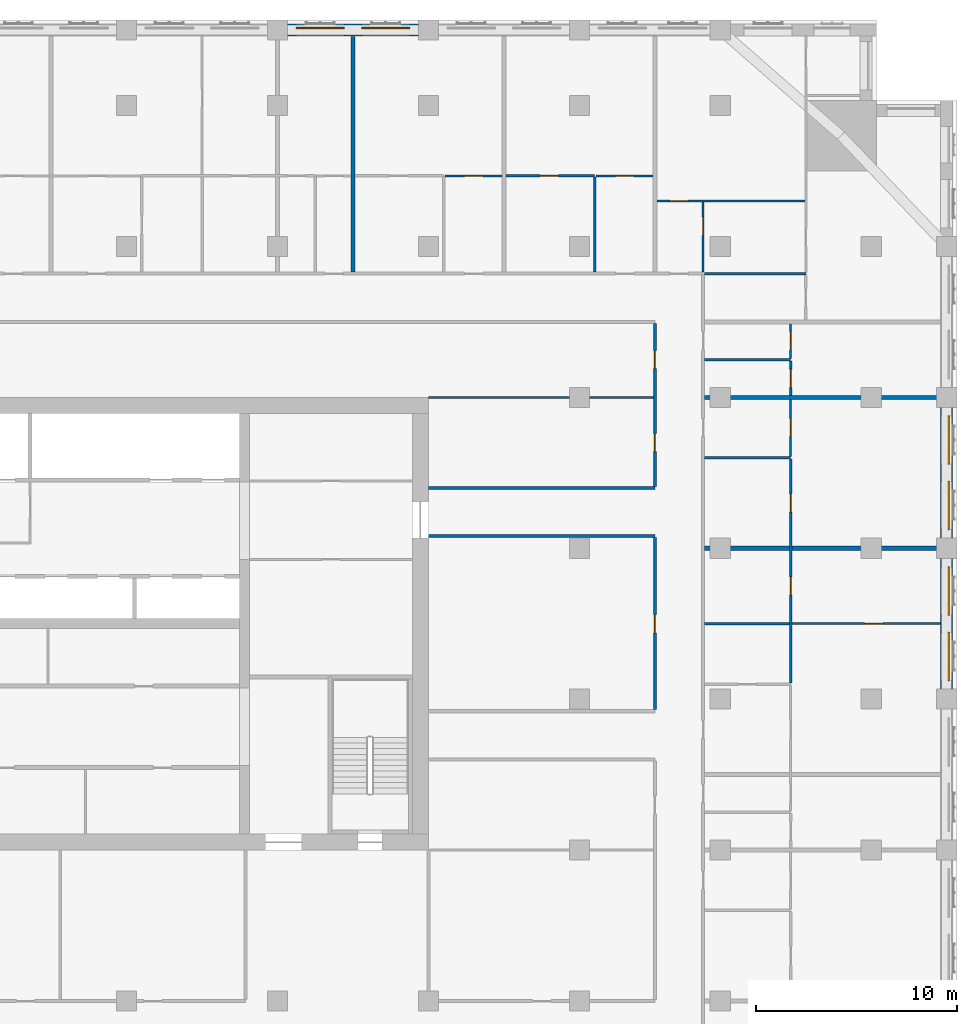
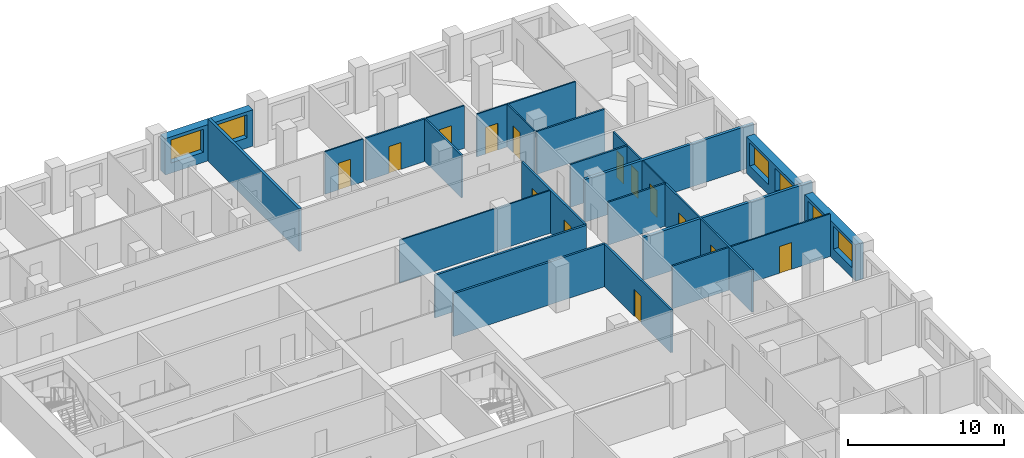
# One storey, part 10 of 14: 26 walls, 14 doors, 6 windows, 20 openings.
"""IFC4 building model written with IfcOpenShell, lengths in metres."""

import ifcopenshell
import ifcopenshell.guid

model = None  # the IFC model being written
_history = None  # IfcOwnerHistory: only IFC2X3 demands one
_inside = {}  # id of a spatial element -> (the spatial element, [elements in it])
_under = {}  # id of a project, library or spatial element -> (it, [spatial elements below it])
_declared = {}  # id of a project -> (the project, [libraries it declares])
_typed = {}  # id of a type object -> (the type object, [elements of that type])
_made_of = {}  # id of a material, layer set ... -> (it, [elements and type objects made of it])


def new_model(schema):
    """Start an empty IFC model of exactly this schema.

    Asked for "IFC4X3", IfcOpenShell would pick the latest addendum, in which some entities
    have other attributes; the version numbers below select the first issue.
    IFC2X3 requires an IfcOwnerHistory on every rooted entity: one is made here for all.
    """
    global model, _history
    if schema == "IFC4X3":
        model = ifcopenshell.file(schema_version=(4, 3, 0, 0))
    else:
        model = ifcopenshell.file(schema=schema)
    _inside.clear()
    _under.clear()
    _declared.clear()
    _typed.clear()
    _made_of.clear()
    _history = None
    if model.schema == "IFC2X3":
        org = make("IfcOrganization", Name="unknown")
        user = make(
            "IfcPersonAndOrganization",
            ThePerson=make("IfcPerson", FamilyName="unknown"),
            TheOrganization=org,
        )
        app = make(
            "IfcApplication",
            ApplicationDeveloper=org,
            Version="unknown",
            ApplicationFullName="unknown",
            ApplicationIdentifier="unknown",
        )
        _history = make(
            "IfcOwnerHistory",
            OwningUser=user,
            OwningApplication=app,
            ChangeAction="ADDED",
            CreationDate=0,
        )
    return model


def make(cls, **values):
    """One entity of the class cls with the attributes given. An attribute that is None is left unset."""
    return model.create_entity(
        cls, **{name: value for name, value in values.items() if value is not None}
    )


def rooted(cls, **values):
    """An entity with a GlobalId (a new one), such as an element, a storey or a relation."""
    return make(cls, GlobalId=ifcopenshell.guid.new(), OwnerHistory=_history, **values)


def si_unit(unit_type, name, prefix=None):
    """IfcSIUnit, for example si_unit("LENGTHUNIT", "METRE", prefix="MILLI")."""
    return make("IfcSIUnit", UnitType=unit_type, Prefix=prefix, Name=name)


def assignment(units):
    """IfcUnitAssignment: the units of a project."""
    return None if units is None else make("IfcUnitAssignment", Units=units)


def point(xyz):
    """IfcCartesianPoint."""
    return None if xyz is None else make("IfcCartesianPoint", Coordinates=xyz)


def direction(xyz):
    """IfcDirection."""
    return None if xyz is None else make("IfcDirection", DirectionRatios=xyz)


def frame(location, z_axis=None, x_axis=None):
    """IfcAxis2Placement3D, a coordinate frame: its origin and axes. An axis left out is left unset."""
    return make(
        "IfcAxis2Placement3D",
        Location=point(location),
        Axis=direction(z_axis),
        RefDirection=direction(x_axis),
    )


def frame_2d(location, x_axis=None):
    """IfcAxis2Placement2D, a coordinate frame in the plane: its origin and x axis."""
    return make(
        "IfcAxis2Placement2D", Location=point(location), RefDirection=direction(x_axis)
    )


def origin():
    """The frame at (0, 0, 0) with its axes left unset."""
    return frame((0.0, 0.0, 0.0))


def place(relative_to, where):
    """IfcLocalPlacement: puts the frame where relative to a parent placement (None: the world)."""
    return make(
        "IfcLocalPlacement", PlacementRelTo=relative_to, RelativePlacement=where
    )


def context(
    kind, dimensions, precision=None, world=None, true_north=None, identifier=None
):
    """IfcGeometricRepresentationContext, for example the 3D "Model" context."""
    return make(
        "IfcGeometricRepresentationContext",
        ContextIdentifier=identifier,
        ContextType=kind,
        CoordinateSpaceDimension=dimensions,
        Precision=precision,
        WorldCoordinateSystem=world,
        TrueNorth=true_north,
    )


def subcontext(parent, identifier, kind, view, scale=None):
    """IfcGeometricRepresentationSubContext, for example "Body" below "Model"."""
    return make(
        "IfcGeometricRepresentationSubContext",
        ContextIdentifier=identifier,
        ContextType=kind,
        ParentContext=parent,
        TargetScale=scale,
        TargetView=view,
    )


def project(units=None, contexts=None):
    """IfcProject with its units and contexts."""
    return rooted(
        "IfcProject",
        Name="project",
        RepresentationContexts=contexts,
        UnitsInContext=assignment(units),
    )


def spatial(cls, under=None, at=None, **own):
    """A site, building, storey or space (cls), placed at a placement, below another one or the project."""
    s = rooted(cls, ObjectPlacement=at, **own)
    if under is not None:
        _under.setdefault(under.id(), (under, []))[1].append(s)
    return s


def profile(cls, at=None, kind="AREA", **sizes):
    """A parametric profile (cls). Its sizes go by their IFC names, for example OverallWidth=200.0."""
    return make(cls, ProfileType=kind, Position=at, **sizes)


def rectangle(**sizes):
    """IfcRectangleProfileDef."""
    return profile("IfcRectangleProfileDef", **sizes)


def extrude(swept, where, along, depth):
    """IfcExtrudedAreaSolid: the profile swept, set in the frame where, extruded along a direction by depth."""
    return make(
        "IfcExtrudedAreaSolid",
        SweptArea=swept,
        Position=where,
        ExtrudedDirection=direction(along),
        Depth=depth,
    )


def shape(context_of_items, identifier, shape_type, items):
    """IfcShapeRepresentation: the items that make up one representation, for example the "Body"."""
    return make(
        "IfcShapeRepresentation",
        ContextOfItems=context_of_items,
        RepresentationIdentifier=identifier,
        RepresentationType=shape_type,
        Items=items,
    )


def material(Name=None, Category=None):
    """IfcMaterial."""
    return make("IfcMaterial", Name=Name, Category=Category)


def layer(
    of_material, thickness, ventilated=None, Name=None, Category=None, Priority=None
):
    """IfcMaterialLayer: one layer of a wall or slab, of a material (None: an air gap)."""
    return make(
        "IfcMaterialLayer",
        Material=of_material,
        LayerThickness=thickness,
        IsVentilated=ventilated,
        Name=Name,
        Category=Category,
        Priority=Priority,
    )


def layer_set(layers, Name=None):
    """IfcMaterialLayerSet."""
    return make("IfcMaterialLayerSet", MaterialLayers=layers, LayerSetName=Name)


def made_of(thing, what):
    """Note that an element or type object is made of a material, layer set ...; save() writes the relation."""
    if what is not None:
        _made_of.setdefault(what.id(), (what, []))[1].append(thing)
    return thing


def type_object(cls, material=None, **own):
    """A type object (cls), such as IfcWallType, which elements share."""
    return made_of(rooted(cls, **own), material)


def element(
    cls,
    number,
    at=None,
    inside=None,
    cuts=None,
    type_object=None,
    material=None,
    context=None,
    identifier="Body",
    shape_type=None,
    held_by="IfcProductDefinitionShape",
    body=None,
    shapes=None,
    **own,
):
    """One element of the class cls, such as IfcWall. Its Tag is "e" and its number.

    at: its placement. inside: the storey or other place that contains it. cuts: it is an
    opening in that element (IfcRelVoidsElement). A single representation is given by context,
    identifier, shape_type and body (its items); several are given by shapes. held_by: the class
    of the entity that holds the representations. save() writes the other relations.
    """
    e = rooted(cls, Tag="e%d" % number, ObjectPlacement=at, **own)
    if body is not None:
        shapes = [shape(context, identifier, shape_type, body)]
    if shapes is not None:
        e.Representation = make(held_by, Representations=shapes)
    if inside is not None:
        _inside.setdefault(inside.id(), (inside, []))[1].append(e)
    if cuts is not None:
        rooted(
            "IfcRelVoidsElement", RelatingBuildingElement=cuts, RelatedOpeningElement=e
        )
    if type_object is not None:
        _typed.setdefault(type_object.id(), (type_object, []))[1].append(e)
    return made_of(e, material)


def fill(opening, filler):
    """IfcRelFillsElement: the door or window that sits in an opening."""
    return rooted(
        "IfcRelFillsElement",
        RelatingOpeningElement=opening,
        RelatedBuildingElement=filler,
    )


def aggregate(whole, parts):
    """IfcRelAggregates: a whole, such as a stair, and the parts it consists of."""
    return rooted("IfcRelAggregates", RelatingObject=whole, RelatedObjects=parts)


def save(model, path):
    """Write the relations noted so far, then the file.

    IfcRelAggregates (storeys below a building ...), IfcRelContainedInSpatialStructure (elements
    in a storey), IfcRelDefinesByType, IfcRelAssociatesMaterial and IfcRelDeclares: one each for
    every whole, place, type object, material and project.
    """
    for whole, parts in _under.values():
        aggregate(whole, parts)
    for where, things in _inside.values():
        rooted(
            "IfcRelContainedInSpatialStructure",
            RelatedElements=things,
            RelatingStructure=where,
        )
    for kind, things in _typed.values():
        rooted("IfcRelDefinesByType", RelatedObjects=things, RelatingType=kind)
    for what, things in _made_of.values():
        rooted("IfcRelAssociatesMaterial", RelatedObjects=things, RelatingMaterial=what)
    for by, libraries in _declared.values():
        rooted("IfcRelDeclares", RelatingContext=by, RelatedDefinitions=libraries)
    model.write(path)


model = new_model("IFC4")

# Units and contexts
model_context = context("Model", 3, precision=1e-05, world=origin(), true_north=direction((0.0, 1.0)))
body_context = subcontext(model_context, "Body", "Model", "MODEL_VIEW")
ifc_project = project(units=[si_unit("LENGTHUNIT", "METRE"), si_unit("AREAUNIT", "SQUARE_METRE"), si_unit("VOLUMEUNIT", "CUBIC_METRE"), si_unit("PLANEANGLEUNIT", "RADIAN"), si_unit("MASSUNIT", "GRAM", prefix="KILO")], contexts=[model_context])

# Site, building, storey
site_placement = place(None, origin())
site = spatial("IfcSite", under=ifc_project, at=site_placement, CompositionType="ELEMENT")
building_placement = place(site_placement, origin())
building = spatial("IfcBuilding", under=site, at=building_placement, Name="Tamorin Gate", CompositionType="ELEMENT")
storey_placement = place(building_placement, frame((0.0, 0.0, 133.800048828125)))
storey = spatial("IfcBuildingStorey", under=building, at=storey_placement, Name="L32", CompositionType="ELEMENT", Elevation=133.800048828125)

# Wall, openings, windows
ifc_material_1 = material(Name="Precast concrete C40/50", Category="concrete")
ifc_layer_1 = layer(ifc_material_1, 0.60009765625)
ifc_layer_set_1 = layer_set([ifc_layer_1], Name="Precast concrete C40/50")
wall_type_1 = type_object("IfcWallType", Name="Board-marked concrete facade panel 600", PredefinedType="SOLIDWALL", material=ifc_layer_set_1)
wall_1_placement = place(storey_placement, frame((85.75, 68.0, 0.0), z_axis=(0.0, 0.0, 1.0), x_axis=(0.0, 1.0, 0.0)))
wall_1 = element("IfcWall", 1, at=wall_1_placement, inside=storey, type_object=wall_type_1, Name="Facade panel", PredefinedType="SOLIDWALL", context=body_context, shape_type="SweptSolid", body=[
    extrude(rectangle(XDim=6.5, YDim=0.60009765625, at=frame_2d((3.25, 0.0))), origin(), (0.0, 0.0, 1.0), 2.849853515625),
])
opening_1_placement = place(wall_1_placement, frame((0.425048828125, 0.0, 0.800048828125)))
opening_1 = element("IfcOpeningElement", 2, at=opening_1_placement, cuts=wall_1, Name="Opening WN1", PredefinedType="OPENING", context=body_context, shape_type="SweptSolid", body=[
    extrude(rectangle(XDim=2.39990234375, YDim=1.800048828125, at=frame_2d((1.199951171875, 0.89990234375))), frame((0.0, 0.31005859375, 0.0), z_axis=(0.0, -1.0, 0.0), x_axis=(1.0, 0.0, 0.0)), (0.0, 0.0, 1.0), 0.6201171875),
])
opening_2_placement = place(wall_1_placement, frame((3.675048828125, 0.0, 0.800048828125)))
opening_2 = element("IfcOpeningElement", 3, at=opening_2_placement, cuts=wall_1, Name="Opening WN1", PredefinedType="OPENING", context=body_context, shape_type="SweptSolid", body=[
    extrude(rectangle(XDim=2.39990234375, YDim=1.800048828125, at=frame_2d((1.199951171875, 0.89990234375))), frame((0.0, 0.31005859375, 0.0), z_axis=(0.0, -1.0, 0.0), x_axis=(1.0, 0.0, 0.0)), (0.0, 0.0, 1.0), 0.6201171875),
])
ifc_material_2 = material(Name="Clear glass in aluminium frame", Category="aluminium")
window_type = type_object("IfcWindowType", Name="Deep-set window 2400x1800", PartitioningType="SINGLE_PANEL", PredefinedType="WINDOW", material=ifc_material_2)
window_1_placement = place(opening_1_placement, origin())
window_1 = element("IfcWindow", 4, at=window_1_placement, inside=storey, type_object=window_type, Name="Deep-set window", OverallHeight=1.800048828125, OverallWidth=2.39990234375, PartitioningType="SINGLE_PANEL", PredefinedType="WINDOW", context=body_context, shape_type="SweptSolid", body=[
    extrude(rectangle(XDim=2.39990234375, YDim=1.800048828125, at=frame_2d((1.199951171875, 0.89990234375))), frame((0.0, -0.070068359375, 0.0), z_axis=(0.0, -1.0, 0.0), x_axis=(1.0, 0.0, 0.0)), (0.0, 0.0, 1.0), 0.06005859375),
])
fill(opening_1, window_1)
window_2_placement = place(opening_2_placement, origin())
window_2 = element("IfcWindow", 5, at=window_2_placement, inside=storey, type_object=window_type, Name="Deep-set window", OverallHeight=1.800048828125, OverallWidth=2.39990234375, PartitioningType="SINGLE_PANEL", PredefinedType="WINDOW", context=body_context, shape_type="SweptSolid", body=[
    extrude(rectangle(XDim=2.39990234375, YDim=1.800048828125, at=frame_2d((1.199951171875, 0.89990234375))), frame((0.0, -0.070068359375, 0.0), z_axis=(0.0, -1.0, 0.0), x_axis=(1.0, 0.0, 0.0)), (0.0, 0.0, 1.0), 0.06005859375),
])
fill(opening_2, window_2)

wall_2_placement = place(storey_placement, frame((85.75, 75.5, 0.0), z_axis=(0.0, 0.0, 1.0), x_axis=(0.0, 1.0, 0.0)))
wall_2 = element("IfcWall", 6, at=wall_2_placement, inside=storey, type_object=wall_type_1, Name="Facade panel", PredefinedType="SOLIDWALL", context=body_context, shape_type="SweptSolid", body=[
    extrude(rectangle(XDim=6.5, YDim=0.60009765625, at=frame_2d((3.25, 0.0))), origin(), (0.0, 0.0, 1.0), 2.849853515625),
])
opening_3_placement = place(wall_2_placement, frame((0.425048828125, 0.0, 0.800048828125)))
opening_3 = element("IfcOpeningElement", 7, at=opening_3_placement, cuts=wall_2, Name="Opening WN1", PredefinedType="OPENING", context=body_context, shape_type="SweptSolid", body=[
    extrude(rectangle(XDim=2.39990234375, YDim=1.800048828125, at=frame_2d((1.199951171875, 0.89990234375))), frame((0.0, 0.31005859375, 0.0), z_axis=(0.0, -1.0, 0.0), x_axis=(1.0, 0.0, 0.0)), (0.0, 0.0, 1.0), 0.6201171875),
])
opening_4_placement = place(wall_2_placement, frame((3.675048828125, 0.0, 0.800048828125)))
opening_4 = element("IfcOpeningElement", 8, at=opening_4_placement, cuts=wall_2, Name="Opening WN1", PredefinedType="OPENING", context=body_context, shape_type="SweptSolid", body=[
    extrude(rectangle(XDim=2.39990234375, YDim=1.800048828125, at=frame_2d((1.199951171875, 0.89990234375))), frame((0.0, 0.31005859375, 0.0), z_axis=(0.0, -1.0, 0.0), x_axis=(1.0, 0.0, 0.0)), (0.0, 0.0, 1.0), 0.6201171875),
])
window_3_placement = place(opening_3_placement, origin())
window_3 = element("IfcWindow", 9, at=window_3_placement, inside=storey, type_object=window_type, Name="Deep-set window", OverallHeight=1.800048828125, OverallWidth=2.39990234375, PartitioningType="SINGLE_PANEL", PredefinedType="WINDOW", context=body_context, shape_type="SweptSolid", body=[
    extrude(rectangle(XDim=2.39990234375, YDim=1.800048828125, at=frame_2d((1.199951171875, 0.89990234375))), frame((0.0, -0.070068359375, 0.0), z_axis=(0.0, -1.0, 0.0), x_axis=(1.0, 0.0, 0.0)), (0.0, 0.0, 1.0), 0.06005859375),
])
fill(opening_3, window_3)
window_4_placement = place(opening_4_placement, origin())
window_4 = element("IfcWindow", 10, at=window_4_placement, inside=storey, type_object=window_type, Name="Deep-set window", OverallHeight=1.800048828125, OverallWidth=2.39990234375, PartitioningType="SINGLE_PANEL", PredefinedType="WINDOW", context=body_context, shape_type="SweptSolid", body=[
    extrude(rectangle(XDim=2.39990234375, YDim=1.800048828125, at=frame_2d((1.199951171875, 0.89990234375))), frame((0.0, -0.070068359375, 0.0), z_axis=(0.0, -1.0, 0.0), x_axis=(1.0, 0.0, 0.0)), (0.0, 0.0, 1.0), 0.06005859375),
])
fill(opening_4, window_4)

wall_3_placement = place(storey_placement, frame((59.5, 100.75, 0.0), z_axis=(0.0, 0.0, 1.0), x_axis=(-1.0, 0.0, 0.0)))
wall_3 = element("IfcWall", 11, at=wall_3_placement, inside=storey, type_object=wall_type_1, Name="Facade panel", PredefinedType="SOLIDWALL", context=body_context, shape_type="SweptSolid", body=[
    extrude(rectangle(XDim=6.5, YDim=0.60009765625, at=frame_2d((3.25, 0.0))), origin(), (0.0, 0.0, 1.0), 2.849853515625),
])
opening_5_placement = place(wall_3_placement, frame((3.675048828125, 0.0, 0.800048828125)))
opening_5 = element("IfcOpeningElement", 12, at=opening_5_placement, cuts=wall_3, Name="Opening WN1", PredefinedType="OPENING", context=body_context, shape_type="SweptSolid", body=[
    extrude(rectangle(XDim=2.39990234375, YDim=1.800048828125, at=frame_2d((1.199951171875, 0.89990234375))), frame((0.0, 0.31005859375, 0.0), z_axis=(0.0, -1.0, 0.0), x_axis=(1.0, 0.0, 0.0)), (0.0, 0.0, 1.0), 0.6201171875),
])
opening_6_placement = place(wall_3_placement, frame((0.425048828125, 0.0, 0.800048828125)))
opening_6 = element("IfcOpeningElement", 13, at=opening_6_placement, cuts=wall_3, Name="Opening WN1", PredefinedType="OPENING", context=body_context, shape_type="SweptSolid", body=[
    extrude(rectangle(XDim=2.39990234375, YDim=1.800048828125, at=frame_2d((1.199951171875, 0.89990234375))), frame((0.0, 0.31005859375, 0.0), z_axis=(0.0, -1.0, 0.0), x_axis=(1.0, 0.0, 0.0)), (0.0, 0.0, 1.0), 0.6201171875),
])
window_5_placement = place(opening_5_placement, origin())
window_5 = element("IfcWindow", 14, at=window_5_placement, inside=storey, type_object=window_type, Name="Deep-set window", OverallHeight=1.800048828125, OverallWidth=2.39990234375, PartitioningType="SINGLE_PANEL", PredefinedType="WINDOW", context=body_context, shape_type="SweptSolid", body=[
    extrude(rectangle(XDim=2.39990234375, YDim=1.800048828125, at=frame_2d((1.199951171875, 0.89990234375))), frame((0.0, -0.070068359375, 0.0), z_axis=(0.0, -1.0, 0.0), x_axis=(1.0, 0.0, 0.0)), (0.0, 0.0, 1.0), 0.06005859375),
])
fill(opening_5, window_5)
window_6_placement = place(opening_6_placement, origin())
window_6 = element("IfcWindow", 15, at=window_6_placement, inside=storey, type_object=window_type, Name="Deep-set window", OverallHeight=1.800048828125, OverallWidth=2.39990234375, PartitioningType="SINGLE_PANEL", PredefinedType="WINDOW", context=body_context, shape_type="SweptSolid", body=[
    extrude(rectangle(XDim=2.39990234375, YDim=1.800048828125, at=frame_2d((1.199951171875, 0.89990234375))), frame((0.0, -0.070068359375, 0.0), z_axis=(0.0, -1.0, 0.0), x_axis=(1.0, 0.0, 0.0)), (0.0, 0.0, 1.0), 0.06005859375),
])
fill(opening_6, window_6)

# Wall, opening, door
ifc_material_3 = material(Name="Gypsum board partition")
ifc_layer_2 = layer(ifc_material_3, 0.14990234375)
ifc_layer_set_2 = layer_set([ifc_layer_2], Name="Corridor wall 150")
wall_type_2 = type_object("IfcWallType", Name="Corridor wall 150", PredefinedType="PARTITIONING", material=ifc_layer_set_2)
wall_4_placement = place(storey_placement, frame((71.25, 66.97509765625, 0.0), z_axis=(0.0, 0.0, 1.0), x_axis=(0.0, 1.0, 0.0)))
wall_4 = element("IfcWall", 16, at=wall_4_placement, inside=storey, type_object=wall_type_2, Name="Corridor wall 150", PredefinedType="PARTITIONING", context=body_context, shape_type="SweptSolid", body=[
    extrude(rectangle(XDim=8.5498046875, YDim=0.14990234375, at=frame_2d((4.27490234375, 0.0))), origin(), (0.0, 0.0, 1.0), 3.349853515625),
])
opening_7_placement = place(wall_4_placement, frame((3.824951171875, 0.0, 0.0)))
opening_7 = element("IfcOpeningElement", 17, at=opening_7_placement, cuts=wall_4, Name="Opening DS2073", PredefinedType="OPENING", context=body_context, shape_type="SweptSolid", body=[
    extrude(rectangle(XDim=0.89990234375, YDim=2.10009765625, at=frame_2d((0.449951171875, 1.050048828125))), frame((0.0, 0.0849609375, 0.0), z_axis=(0.0, -1.0, 0.0), x_axis=(1.0, 0.0, 0.0)), (0.0, 0.0, 1.0), 0.169921875),
])
ifc_material_4 = material(Name="Timber door leaf", Category="wood")
door_type_1 = type_object("IfcDoorType", Name="Door 900 x 2100 FD30S", OperationType="NOTDEFINED", PredefinedType="DOOR", material=ifc_material_4)
door_1_placement = place(opening_7_placement, origin())
door_1 = element("IfcDoor", 18, at=door_1_placement, inside=storey, type_object=door_type_1, Name="Door DS2073", OperationType="SINGLE_SWING_LEFT", OverallHeight=2.10009765625, OverallWidth=0.89990234375, PredefinedType="DOOR", context=body_context, shape_type="SweptSolid", body=[
    extrude(rectangle(XDim=0.89990234375, YDim=2.10009765625, at=frame_2d((0.449951171875, 1.050048828125))), frame((0.0, 0.02490234375, 0.0), z_axis=(0.0, -1.0, 0.0), x_axis=(1.0, 0.0, 0.0)), (0.0, 0.0, 1.0), 0.050048828125),
])
fill(opening_7, door_1)

# Wall, openings, doors
wall_5_placement = place(storey_placement, frame((71.25, 78.074951171875, 0.0), z_axis=(0.0, 0.0, 1.0), x_axis=(0.0, 1.0, 0.0)))
wall_5 = element("IfcWall", 19, at=wall_5_placement, inside=storey, type_object=wall_type_2, Name="Corridor wall 150", PredefinedType="PARTITIONING", context=body_context, shape_type="SweptSolid", body=[
    extrude(rectangle(XDim=8.10009765625, YDim=0.14990234375, at=frame_2d((4.050048828125, 0.0))), origin(), (0.0, 0.0, 1.0), 3.349853515625),
])
opening_8_placement = place(wall_5_placement, frame((5.85009765625, 0.0, 0.0)))
opening_8 = element("IfcOpeningElement", 20, at=opening_8_placement, cuts=wall_5, Name="Opening DS2071", PredefinedType="OPENING", context=body_context, shape_type="SweptSolid", body=[
    extrude(rectangle(XDim=0.89990234375, YDim=2.10009765625, at=frame_2d((0.449951171875, 1.050048828125))), frame((0.0, 0.0849609375, 0.0), z_axis=(0.0, -1.0, 0.0), x_axis=(1.0, 0.0, 0.0)), (0.0, 0.0, 1.0), 0.169921875),
])
opening_9_placement = place(wall_5_placement, frame((1.72509765625, 0.0, 0.0)))
opening_9 = element("IfcOpeningElement", 21, at=opening_9_placement, cuts=wall_5, Name="Opening DS2074", PredefinedType="OPENING", context=body_context, shape_type="SweptSolid", body=[
    extrude(rectangle(XDim=0.89990234375, YDim=2.10009765625, at=frame_2d((0.449951171875, 1.050048828125))), frame((0.0, 0.0849609375, 0.0), z_axis=(0.0, -1.0, 0.0), x_axis=(1.0, 0.0, 0.0)), (0.0, 0.0, 1.0), 0.169921875),
])
door_2_placement = place(opening_8_placement, origin())
door_2 = element("IfcDoor", 22, at=door_2_placement, inside=storey, type_object=door_type_1, Name="Door DS2071", OperationType="SINGLE_SWING_LEFT", OverallHeight=2.10009765625, OverallWidth=0.89990234375, PredefinedType="DOOR", context=body_context, shape_type="SweptSolid", body=[
    extrude(rectangle(XDim=0.89990234375, YDim=2.10009765625, at=frame_2d((0.449951171875, 1.050048828125))), frame((0.0, 0.02490234375, 0.0), z_axis=(0.0, -1.0, 0.0), x_axis=(1.0, 0.0, 0.0)), (0.0, 0.0, 1.0), 0.050048828125),
])
fill(opening_8, door_2)
door_3_placement = place(opening_9_placement, origin())
door_3 = element("IfcDoor", 23, at=door_3_placement, inside=storey, type_object=door_type_1, Name="Door DS2074", OperationType="SINGLE_SWING_LEFT", OverallHeight=2.10009765625, OverallWidth=0.89990234375, PredefinedType="DOOR", context=body_context, shape_type="SweptSolid", body=[
    extrude(rectangle(XDim=0.89990234375, YDim=2.10009765625, at=frame_2d((0.449951171875, 1.050048828125))), frame((0.0, 0.02490234375, 0.0), z_axis=(0.0, -1.0, 0.0), x_axis=(1.0, 0.0, 0.0)), (0.0, 0.0, 1.0), 0.050048828125),
])
fill(opening_9, door_3)

# Walls
ifc_layer_3 = layer(ifc_material_3, 0.199951171875)
ifc_layer_set_3 = layer_set([ifc_layer_3], Name="Demising wall 200")
wall_type_3 = type_object("IfcWallType", Name="Demising wall 200", PredefinedType="PARTITIONING", material=ifc_layer_set_3)
for number, where, z_axis, x_axis, name in (
    (24, (73.72509765625, 75.0, 0.0), (0.0, 0.0, 1.0), (1.0, 0.0, 0.0), "Demising wall 200"),
    (25, (73.72509765625, 82.5, 0.0), (0.0, 0.0, 1.0), (1.0, 0.0, 0.0), "Demising wall 200"),
):
    element("IfcWall", number, at=place(storey_placement, frame(where, z_axis=z_axis, x_axis=x_axis)), inside=storey, type_object=wall_type_3, Name=name, PredefinedType="PARTITIONING", context=body_context, shape_type="SweptSolid", body=[
        extrude(rectangle(XDim=12.52490234375, YDim=0.199951171875, at=frame_2d((6.262451171875, 0.0))), origin(), (0.0, 0.0, 1.0), 3.349853515625),
    ])
wall_6_placement = place(storey_placement, frame((56.25, 88.72509765625, 0.0), z_axis=(0.0, 0.0, 1.0), x_axis=(0.0, 1.0, 0.0)))
element("IfcWall", 26, at=wall_6_placement, inside=storey, type_object=wall_type_3, Name="Demising wall 200", PredefinedType="PARTITIONING", context=body_context, shape_type="SweptSolid", body=[
    extrude(rectangle(XDim=11.71484375, YDim=0.199951171875, at=frame_2d((5.857421875, 0.0))), origin(), (0.0, 0.0, 1.0), 3.349853515625),
])
ifc_layer_4 = layer(ifc_material_3, 0.14990234375)
ifc_layer_set_4 = layer_set([ifc_layer_4], Name="Lobby wall 150")
wall_type_4 = type_object("IfcWallType", Name="Lobby wall 150", PredefinedType="PARTITIONING", material=ifc_layer_set_4)
for number, where, z_axis, x_axis, name in (
    (27, (60.0, 75.60009765625, 0.0), (0.0, 0.0, 1.0), (1.0, 0.0, 0.0), "Lobby wall 150"),
    (28, (60.0, 78.0, 0.0), (0.0, 0.0, 1.0), (1.0, 0.0, 0.0), "Lobby wall 150"),
):
    element("IfcWall", number, at=place(storey_placement, frame(where, z_axis=z_axis, x_axis=x_axis)), inside=storey, type_object=wall_type_4, Name=name, PredefinedType="PARTITIONING", context=body_context, shape_type="SweptSolid", body=[
        extrude(rectangle(XDim=11.25, YDim=0.14990234375, at=frame_2d((5.625, 0.0))), origin(), (0.0, 0.0, 1.0), 3.349853515625),
    ])

# Wall, opening, door
ifc_layer_5 = layer(ifc_material_3, 0.10009765625)
ifc_layer_set_5 = layer_set([ifc_layer_5], Name="Room partition 100")
wall_type_5 = type_object("IfcWallType", Name="Room partition 100", PredefinedType="PARTITIONING", material=ifc_layer_set_5)
wall_7_placement = place(storey_placement, frame((78.0625, 71.25, 0.0), z_axis=(0.0, 0.0, 1.0), x_axis=(1.0, 0.0, 0.0)))
wall_7 = element("IfcWall", 29, at=wall_7_placement, inside=storey, type_object=wall_type_5, Name="Room partition 100", PredefinedType="PARTITIONING", context=body_context, shape_type="SweptSolid", body=[
    extrude(rectangle(XDim=7.37744140625, YDim=0.10009765625, at=frame_2d((3.688720703125, 0.0))), origin(), (0.0, 0.0, 1.0), 3.349853515625),
])
opening_10_placement = place(wall_7_placement, frame((3.612548828125, 0.0, 0.0)))
opening_10 = element("IfcOpeningElement", 30, at=opening_10_placement, cuts=wall_7, Name="Opening DS2047", PredefinedType="OPENING", context=body_context, shape_type="SweptSolid", body=[
    extrude(rectangle(XDim=0.89990234375, YDim=2.10009765625, at=frame_2d((0.449951171875, 1.050048828125))), frame((0.0, 0.06005859375, 0.0), z_axis=(0.0, -1.0, 0.0), x_axis=(1.0, 0.0, 0.0)), (0.0, 0.0, 1.0), 0.1201171875),
])
door_type_2 = type_object("IfcDoorType", Name="Door 900 x 2100", OperationType="NOTDEFINED", PredefinedType="DOOR", material=ifc_material_4)
door_4_placement = place(opening_10_placement, origin())
door_4 = element("IfcDoor", 31, at=door_4_placement, inside=storey, type_object=door_type_2, Name="Door DS2047", OperationType="SINGLE_SWING_RIGHT", OverallHeight=2.10009765625, OverallWidth=0.89990234375, PredefinedType="DOOR", context=body_context, shape_type="SweptSolid", body=[
    extrude(rectangle(XDim=0.89990234375, YDim=2.10009765625, at=frame_2d((0.449951171875, 1.050048828125))), frame((0.0, 0.02490234375, 0.0), z_axis=(0.0, -1.0, 0.0), x_axis=(1.0, 0.0, 0.0)), (0.0, 0.0, 1.0), 0.050048828125),
])
fill(opening_10, door_4)

# Wall
wall_8_placement = place(storey_placement, frame((60.0, 82.5, 0.0), z_axis=(0.0, 0.0, 1.0), x_axis=(1.0, 0.0, 0.0)))
element("IfcWall", 32, at=wall_8_placement, inside=storey, type_object=wall_type_5, Name="Room partition 100", PredefinedType="PARTITIONING", context=body_context, shape_type="SweptSolid", body=[
    extrude(rectangle(XDim=11.175048828125, YDim=0.10009765625, at=frame_2d((5.58740234375, 0.0))), origin(), (0.0, 0.0, 1.0), 3.349853515625),
])

# Wall, opening, door
wall_9_placement = place(storey_placement, frame((71.35009765625, 92.25, 0.0), z_axis=(0.0, 0.0, 1.0), x_axis=(1.0, 0.0, 0.0)))
wall_9 = element("IfcWall", 33, at=wall_9_placement, inside=storey, type_object=wall_type_5, Name="Room partition 100", PredefinedType="PARTITIONING", context=body_context, shape_type="SweptSolid", body=[
    extrude(rectangle(XDim=7.349853515625, YDim=0.10009765625, at=frame_2d((3.6748046875, 0.0))), origin(), (0.0, 0.0, 1.0), 3.349853515625),
])
opening_11_placement = place(wall_9_placement, frame((0.64990234375, 0.0, 0.0)))
opening_11 = element("IfcOpeningElement", 34, at=opening_11_placement, cuts=wall_9, Name="Opening DS2061", PredefinedType="OPENING", context=body_context, shape_type="SweptSolid", body=[
    extrude(rectangle(XDim=0.89990234375, YDim=2.10009765625, at=frame_2d((0.449951171875, 1.050048828125))), frame((0.0, 0.06005859375, 0.0), z_axis=(0.0, -1.0, 0.0), x_axis=(1.0, 0.0, 0.0)), (0.0, 0.0, 1.0), 0.1201171875),
])
door_5_placement = place(opening_11_placement, origin())
door_5 = element("IfcDoor", 35, at=door_5_placement, inside=storey, type_object=door_type_2, Name="Door DS2061", OperationType="SINGLE_SWING_LEFT", OverallHeight=2.10009765625, OverallWidth=0.89990234375, PredefinedType="DOOR", context=body_context, shape_type="SweptSolid", body=[
    extrude(rectangle(XDim=0.89990234375, YDim=2.10009765625, at=frame_2d((0.449951171875, 1.050048828125))), frame((0.0, 0.02490234375, 0.0), z_axis=(0.0, -1.0, 0.0), x_axis=(1.0, 0.0, 0.0)), (0.0, 0.0, 1.0), 0.050048828125),
])
fill(opening_11, door_5)

wall_10_placement = place(storey_placement, frame((60.8125, 93.5, 0.0), z_axis=(0.0, 0.0, 1.0), x_axis=(1.0, 0.0, 0.0)))
wall_10 = element("IfcWall", 36, at=wall_10_placement, inside=storey, type_object=wall_type_5, Name="Room partition 100", PredefinedType="PARTITIONING", context=body_context, shape_type="SweptSolid", body=[
    extrude(rectangle(XDim=2.83740234375, YDim=0.10009765625, at=frame_2d((1.418701171875, 0.0))), origin(), (0.0, 0.0, 1.0), 3.349853515625),
])
opening_12_placement = place(wall_10_placement, frame((0.987548828125, 0.0, 0.0)))
opening_12 = element("IfcOpeningElement", 37, at=opening_12_placement, cuts=wall_10, Name="Opening DS2033", PredefinedType="OPENING", context=body_context, shape_type="SweptSolid", body=[
    extrude(rectangle(XDim=0.89990234375, YDim=2.10009765625, at=frame_2d((0.449951171875, 1.050048828125))), frame((0.0, 0.06005859375, 0.0), z_axis=(0.0, -1.0, 0.0), x_axis=(1.0, 0.0, 0.0)), (0.0, 0.0, 1.0), 0.1201171875),
])
door_6_placement = place(opening_12_placement, origin())
door_6 = element("IfcDoor", 38, at=door_6_placement, inside=storey, type_object=door_type_2, Name="Door DS2033", OperationType="SINGLE_SWING_RIGHT", OverallHeight=2.10009765625, OverallWidth=0.89990234375, PredefinedType="DOOR", context=body_context, shape_type="SweptSolid", body=[
    extrude(rectangle(XDim=0.89990234375, YDim=2.10009765625, at=frame_2d((0.449951171875, 1.050048828125))), frame((0.0, 0.02490234375, 0.0), z_axis=(0.0, -1.0, 0.0), x_axis=(1.0, 0.0, 0.0)), (0.0, 0.0, 1.0), 0.050048828125),
])
fill(opening_12, door_6)

wall_11_placement = place(storey_placement, frame((68.3125, 93.5, 0.0), z_axis=(0.0, 0.0, 1.0), x_axis=(1.0, 0.0, 0.0)))
wall_11 = element("IfcWall", 39, at=wall_11_placement, inside=storey, type_object=wall_type_5, Name="Room partition 100", PredefinedType="PARTITIONING", context=body_context, shape_type="SweptSolid", body=[
    extrude(rectangle(XDim=2.83740234375, YDim=0.10009765625, at=frame_2d((1.418701171875, 0.0))), origin(), (0.0, 0.0, 1.0), 3.349853515625),
])
opening_13_placement = place(wall_11_placement, frame((0.987548828125, 0.0, 0.0)))
opening_13 = element("IfcOpeningElement", 40, at=opening_13_placement, cuts=wall_11, Name="Opening DS2036", PredefinedType="OPENING", context=body_context, shape_type="SweptSolid", body=[
    extrude(rectangle(XDim=0.89990234375, YDim=2.10009765625, at=frame_2d((0.449951171875, 1.050048828125))), frame((0.0, 0.06005859375, 0.0), z_axis=(0.0, -1.0, 0.0), x_axis=(1.0, 0.0, 0.0)), (0.0, 0.0, 1.0), 0.1201171875),
])
door_7_placement = place(opening_13_placement, origin())
door_7 = element("IfcDoor", 41, at=door_7_placement, inside=storey, type_object=door_type_2, Name="Door DS2036", OperationType="SINGLE_SWING_RIGHT", OverallHeight=2.10009765625, OverallWidth=0.89990234375, PredefinedType="DOOR", context=body_context, shape_type="SweptSolid", body=[
    extrude(rectangle(XDim=0.89990234375, YDim=2.10009765625, at=frame_2d((0.449951171875, 1.050048828125))), frame((0.0, 0.02490234375, 0.0), z_axis=(0.0, -1.0, 0.0), x_axis=(1.0, 0.0, 0.0)), (0.0, 0.0, 1.0), 0.050048828125),
])
fill(opening_13, door_7)

wall_12_placement = place(storey_placement, frame((73.64990234375, 88.72509765625, 0.0), z_axis=(0.0, 0.0, 1.0), x_axis=(0.0, 1.0, 0.0)))
wall_12 = element("IfcWall", 42, at=wall_12_placement, inside=storey, type_object=wall_type_5, Name="Room partition 100", PredefinedType="PARTITIONING", context=body_context, shape_type="SweptSolid", body=[
    extrude(rectangle(XDim=3.474853515625, YDim=0.10009765625, at=frame_2d((1.7373046875, 0.0))), origin(), (0.0, 0.0, 1.0), 3.349853515625),
])
opening_14_placement = place(wall_12_placement, frame((1.824951171875, 0.0, 0.0)))
opening_14 = element("IfcOpeningElement", 43, at=opening_14_placement, cuts=wall_12, Name="Opening DS2062", PredefinedType="OPENING", context=body_context, shape_type="SweptSolid", body=[
    extrude(rectangle(XDim=0.89990234375, YDim=2.10009765625, at=frame_2d((0.449951171875, 1.050048828125))), frame((0.0, 0.06005859375, 0.0), z_axis=(0.0, -1.0, 0.0), x_axis=(1.0, 0.0, 0.0)), (0.0, 0.0, 1.0), 0.1201171875),
])
door_8_placement = place(opening_14_placement, origin())
door_8 = element("IfcDoor", 44, at=door_8_placement, inside=storey, type_object=door_type_2, Name="Door DS2062", OperationType="SINGLE_SWING_RIGHT", OverallHeight=2.10009765625, OverallWidth=0.89990234375, PredefinedType="DOOR", context=body_context, shape_type="SweptSolid", body=[
    extrude(rectangle(XDim=0.89990234375, YDim=2.10009765625, at=frame_2d((0.449951171875, 1.050048828125))), frame((0.0, 0.02490234375, 0.0), z_axis=(0.0, -1.0, 0.0), x_axis=(1.0, 0.0, 0.0)), (0.0, 0.0, 1.0), 0.050048828125),
])
fill(opening_14, door_8)

wall_13_placement = place(storey_placement, frame((78.0, 79.5625, 0.0), z_axis=(0.0, 0.0, 1.0), x_axis=(0.0, 1.0, 0.0)))
wall_13 = element("IfcWall", 45, at=wall_13_placement, inside=storey, type_object=wall_type_5, Name="Room partition 100", PredefinedType="PARTITIONING", context=body_context, shape_type="SweptSolid", body=[
    extrude(rectangle(XDim=2.83740234375, YDim=0.10009765625, at=frame_2d((1.418701171875, 0.0))), origin(), (0.0, 0.0, 1.0), 3.349853515625),
])
opening_15_placement = place(wall_13_placement, frame((0.987548828125, 0.0, 0.0)))
opening_15 = element("IfcOpeningElement", 46, at=opening_15_placement, cuts=wall_13, Name="Opening DS2050", PredefinedType="OPENING", context=body_context, shape_type="SweptSolid", body=[
    extrude(rectangle(XDim=0.89990234375, YDim=2.10009765625, at=frame_2d((0.449951171875, 1.050048828125))), frame((0.0, 0.06005859375, 0.0), z_axis=(0.0, -1.0, 0.0), x_axis=(1.0, 0.0, 0.0)), (0.0, 0.0, 1.0), 0.1201171875),
])
door_9_placement = place(opening_15_placement, origin())
door_9 = element("IfcDoor", 47, at=door_9_placement, inside=storey, type_object=door_type_2, Name="Door DS2050", OperationType="SINGLE_SWING_LEFT", OverallHeight=2.10009765625, OverallWidth=0.89990234375, PredefinedType="DOOR", context=body_context, shape_type="SweptSolid", body=[
    extrude(rectangle(XDim=0.89990234375, YDim=2.10009765625, at=frame_2d((0.449951171875, 1.050048828125))), frame((0.0, 0.02490234375, 0.0), z_axis=(0.0, -1.0, 0.0), x_axis=(1.0, 0.0, 0.0)), (0.0, 0.0, 1.0), 0.050048828125),
])
fill(opening_15, door_9)

wall_14_placement = place(storey_placement, frame((78.0, 84.4375, 0.0), z_axis=(0.0, 0.0, 1.0), x_axis=(0.0, 1.0, 0.0)))
wall_14 = element("IfcWall", 48, at=wall_14_placement, inside=storey, type_object=wall_type_5, Name="Room partition 100", PredefinedType="PARTITIONING", context=body_context, shape_type="SweptSolid", body=[
    extrude(rectangle(XDim=1.71240234375, YDim=0.10009765625, at=frame_2d((0.856201171875, 0.0))), origin(), (0.0, 0.0, 1.0), 3.349853515625),
])
opening_16_placement = place(wall_14_placement, frame((0.425048828125, 0.0, 0.0)))
opening_16 = element("IfcOpeningElement", 49, at=opening_16_placement, cuts=wall_14, Name="Opening DS2053", PredefinedType="OPENING", context=body_context, shape_type="SweptSolid", body=[
    extrude(rectangle(XDim=0.89990234375, YDim=2.10009765625, at=frame_2d((0.449951171875, 1.050048828125))), frame((0.0, 0.06005859375, 0.0), z_axis=(0.0, -1.0, 0.0), x_axis=(1.0, 0.0, 0.0)), (0.0, 0.0, 1.0), 0.1201171875),
])
door_10_placement = place(opening_16_placement, origin())
door_10 = element("IfcDoor", 50, at=door_10_placement, inside=storey, type_object=door_type_2, Name="Door DS2053", OperationType="SINGLE_SWING_LEFT", OverallHeight=2.10009765625, OverallWidth=0.89990234375, PredefinedType="DOOR", context=body_context, shape_type="SweptSolid", body=[
    extrude(rectangle(XDim=0.89990234375, YDim=2.10009765625, at=frame_2d((0.449951171875, 1.050048828125))), frame((0.0, 0.02490234375, 0.0), z_axis=(0.0, -1.0, 0.0), x_axis=(1.0, 0.0, 0.0)), (0.0, 0.0, 1.0), 0.050048828125),
])
fill(opening_16, door_10)

# Walls
ifc_layer_6 = layer(ifc_material_3, 0.125)
ifc_layer_set_6 = layer_set([ifc_layer_6], Name="Wet wall 125")
wall_type_6 = type_object("IfcWallType", Name="Wet wall 125", PredefinedType="PARTITIONING", material=ifc_layer_set_6)
wall_15_placement = place(storey_placement, frame((73.72509765625, 71.25, 0.0), z_axis=(0.0, 0.0, 1.0), x_axis=(1.0, 0.0, 0.0)))
element("IfcWall", 51, at=wall_15_placement, inside=storey, type_object=wall_type_6, Name="Wet wall 125", PredefinedType="PARTITIONING", context=body_context, shape_type="SweptSolid", body=[
    extrude(rectangle(XDim=4.21240234375, YDim=0.125, at=frame_2d((2.106201171875, 0.0))), origin(), (0.0, 0.0, 1.0), 3.349853515625),
])
for number, where, z_axis, x_axis, name in (
    (52, (73.72509765625, 79.5, 0.0), (0.0, 0.0, 1.0), (1.0, 0.0, 0.0), "Wet wall 125"),
    (53, (73.72509765625, 84.375, 0.0), (0.0, 0.0, 1.0), (1.0, 0.0, 0.0), "Wet wall 125"),
):
    element("IfcWall", number, at=place(storey_placement, frame(where, z_axis=z_axis, x_axis=x_axis)), inside=storey, type_object=wall_type_6, Name=name, PredefinedType="PARTITIONING", context=body_context, shape_type="SweptSolid", body=[
        extrude(rectangle(XDim=4.27490234375, YDim=0.125, at=frame_2d((2.137451171875, 0.0))), origin(), (0.0, 0.0, 1.0), 3.349853515625),
    ])
wall_16_placement = place(storey_placement, frame((73.72509765625, 88.64990234375, 0.0), z_axis=(0.0, 0.0, 1.0), x_axis=(1.0, 0.0, 0.0)))
element("IfcWall", 54, at=wall_16_placement, inside=storey, type_object=wall_type_6, Name="Wet wall 125", PredefinedType="PARTITIONING", context=body_context, shape_type="SweptSolid", body=[
    extrude(rectangle(XDim=5.02490234375, YDim=0.125, at=frame_2d((2.512451171875, 0.0))), origin(), (0.0, 0.0, 1.0), 3.349853515625),
])

# Wall, opening, door
wall_17_placement = place(storey_placement, frame((63.85009765625, 93.5, 0.0), z_axis=(0.0, 0.0, 1.0), x_axis=(1.0, 0.0, 0.0)))
wall_17 = element("IfcWall", 55, at=wall_17_placement, inside=storey, type_object=wall_type_6, Name="Wet wall 125", PredefinedType="PARTITIONING", context=body_context, shape_type="SweptSolid", body=[
    extrude(rectangle(XDim=4.39990234375, YDim=0.125, at=frame_2d((2.199951171875, 0.0))), origin(), (0.0, 0.0, 1.0), 3.349853515625),
])
opening_17_placement = place(wall_17_placement, frame((1.699951171875, 0.0, 0.0)))
opening_17 = element("IfcOpeningElement", 56, at=opening_17_placement, cuts=wall_17, Name="Opening DS2034", PredefinedType="OPENING", context=body_context, shape_type="SweptSolid", body=[
    extrude(rectangle(XDim=0.89990234375, YDim=2.10009765625, at=frame_2d((0.449951171875, 1.050048828125))), frame((0.0, 0.072509765625, 0.0), z_axis=(0.0, -1.0, 0.0), x_axis=(1.0, 0.0, 0.0)), (0.0, 0.0, 1.0), 0.14501953125),
])
door_11_placement = place(opening_17_placement, origin())
door_11 = element("IfcDoor", 57, at=door_11_placement, inside=storey, type_object=door_type_2, Name="Door DS2034", OperationType="SINGLE_SWING_RIGHT", OverallHeight=2.10009765625, OverallWidth=0.89990234375, PredefinedType="DOOR", context=body_context, shape_type="SweptSolid", body=[
    extrude(rectangle(XDim=0.89990234375, YDim=2.10009765625, at=frame_2d((0.449951171875, 1.050048828125))), frame((0.0, 0.02490234375, 0.0), z_axis=(0.0, -1.0, 0.0), x_axis=(1.0, 0.0, 0.0)), (0.0, 0.0, 1.0), 0.050048828125),
])
fill(opening_17, door_11)

# Wall
wall_18_placement = place(storey_placement, frame((68.25, 88.72509765625, 0.0), z_axis=(0.0, 0.0, 1.0), x_axis=(0.0, 1.0, 0.0)))
element("IfcWall", 58, at=wall_18_placement, inside=storey, type_object=wall_type_6, Name="Wet wall 125", PredefinedType="PARTITIONING", context=body_context, shape_type="SweptSolid", body=[
    extrude(rectangle(XDim=4.71240234375, YDim=0.125, at=frame_2d((2.356201171875, 0.0))), origin(), (0.0, 0.0, 1.0), 3.349853515625),
])

# Wall, openings, doors
wall_19_placement = place(storey_placement, frame((78.0, 68.3125, 0.0), z_axis=(0.0, 0.0, 1.0), x_axis=(0.0, 1.0, 0.0)))
wall_19 = element("IfcWall", 59, at=wall_19_placement, inside=storey, type_object=wall_type_6, Name="Wet wall 125", PredefinedType="PARTITIONING", context=body_context, shape_type="SweptSolid", body=[
    extrude(rectangle(XDim=11.125, YDim=0.125, at=frame_2d((5.5625, 0.0))), origin(), (0.0, 0.0, 1.0), 3.349853515625),
])
opening_18_placement = place(wall_19_placement, frame((4.362548828125, 0.0, 0.0)))
opening_18 = element("IfcOpeningElement", 60, at=opening_18_placement, cuts=wall_19, Name="Opening DS2046", PredefinedType="OPENING", context=body_context, shape_type="SweptSolid", body=[
    extrude(rectangle(XDim=0.89990234375, YDim=2.10009765625, at=frame_2d((0.449951171875, 1.050048828125))), frame((0.0, 0.072509765625, 0.0), z_axis=(0.0, -1.0, 0.0), x_axis=(1.0, 0.0, 0.0)), (0.0, 0.0, 1.0), 0.14501953125),
])
opening_19_placement = place(wall_19_placement, frame((8.487548828125, 0.0, 0.0)))
opening_19 = element("IfcOpeningElement", 61, at=opening_19_placement, cuts=wall_19, Name="Opening DS2048", PredefinedType="OPENING", context=body_context, shape_type="SweptSolid", body=[
    extrude(rectangle(XDim=0.89990234375, YDim=2.10009765625, at=frame_2d((0.449951171875, 1.050048828125))), frame((0.0, 0.072509765625, 0.0), z_axis=(0.0, -1.0, 0.0), x_axis=(1.0, 0.0, 0.0)), (0.0, 0.0, 1.0), 0.14501953125),
])
door_12_placement = place(opening_18_placement, origin())
door_12 = element("IfcDoor", 62, at=door_12_placement, inside=storey, type_object=door_type_2, Name="Door DS2046", OperationType="SINGLE_SWING_LEFT", OverallHeight=2.10009765625, OverallWidth=0.89990234375, PredefinedType="DOOR", context=body_context, shape_type="SweptSolid", body=[
    extrude(rectangle(XDim=0.89990234375, YDim=2.10009765625, at=frame_2d((0.449951171875, 1.050048828125))), frame((0.0, 0.02490234375, 0.0), z_axis=(0.0, -1.0, 0.0), x_axis=(1.0, 0.0, 0.0)), (0.0, 0.0, 1.0), 0.050048828125),
])
fill(opening_18, door_12)
door_13_placement = place(opening_19_placement, origin())
door_13 = element("IfcDoor", 63, at=door_13_placement, inside=storey, type_object=door_type_2, Name="Door DS2048", OperationType="SINGLE_SWING_LEFT", OverallHeight=2.10009765625, OverallWidth=0.89990234375, PredefinedType="DOOR", context=body_context, shape_type="SweptSolid", body=[
    extrude(rectangle(XDim=0.89990234375, YDim=2.10009765625, at=frame_2d((0.449951171875, 1.050048828125))), frame((0.0, 0.02490234375, 0.0), z_axis=(0.0, -1.0, 0.0), x_axis=(1.0, 0.0, 0.0)), (0.0, 0.0, 1.0), 0.050048828125),
])
fill(opening_19, door_13)

# Wall, opening, door
wall_20_placement = place(storey_placement, frame((78.0, 82.60009765625, 0.0), z_axis=(0.0, 0.0, 1.0), x_axis=(0.0, 1.0, 0.0)))
wall_20 = element("IfcWall", 64, at=wall_20_placement, inside=storey, type_object=wall_type_6, Name="Wet wall 125", PredefinedType="PARTITIONING", context=body_context, shape_type="SweptSolid", body=[
    extrude(rectangle(XDim=1.71240234375, YDim=0.125, at=frame_2d((0.856201171875, 0.0))), origin(), (0.0, 0.0, 1.0), 3.349853515625),
])
opening_20_placement = place(wall_20_placement, frame((0.387451171875, 0.0, 0.0)))
opening_20 = element("IfcOpeningElement", 65, at=opening_20_placement, cuts=wall_20, Name="Opening DS2051", PredefinedType="OPENING", context=body_context, shape_type="SweptSolid", body=[
    extrude(rectangle(XDim=0.89990234375, YDim=2.10009765625, at=frame_2d((0.449951171875, 1.050048828125))), frame((0.0, 0.072509765625, 0.0), z_axis=(0.0, -1.0, 0.0), x_axis=(1.0, 0.0, 0.0)), (0.0, 0.0, 1.0), 0.14501953125),
])
door_14_placement = place(opening_20_placement, origin())
door_14 = element("IfcDoor", 66, at=door_14_placement, inside=storey, type_object=door_type_2, Name="Door DS2051", OperationType="SINGLE_SWING_LEFT", OverallHeight=2.10009765625, OverallWidth=0.89990234375, PredefinedType="DOOR", context=body_context, shape_type="SweptSolid", body=[
    extrude(rectangle(XDim=0.89990234375, YDim=2.10009765625, at=frame_2d((0.449951171875, 1.050048828125))), frame((0.0, 0.02490234375, 0.0), z_axis=(0.0, -1.0, 0.0), x_axis=(1.0, 0.0, 0.0)), (0.0, 0.0, 1.0), 0.050048828125),
])
fill(opening_20, door_14)

save(model, "model.ifc")
